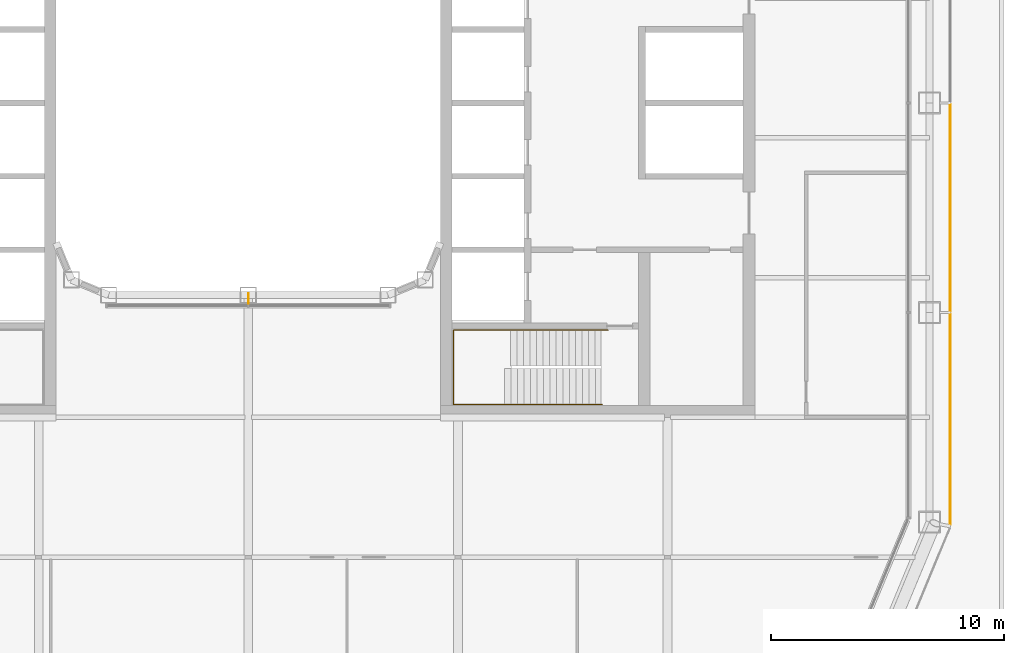
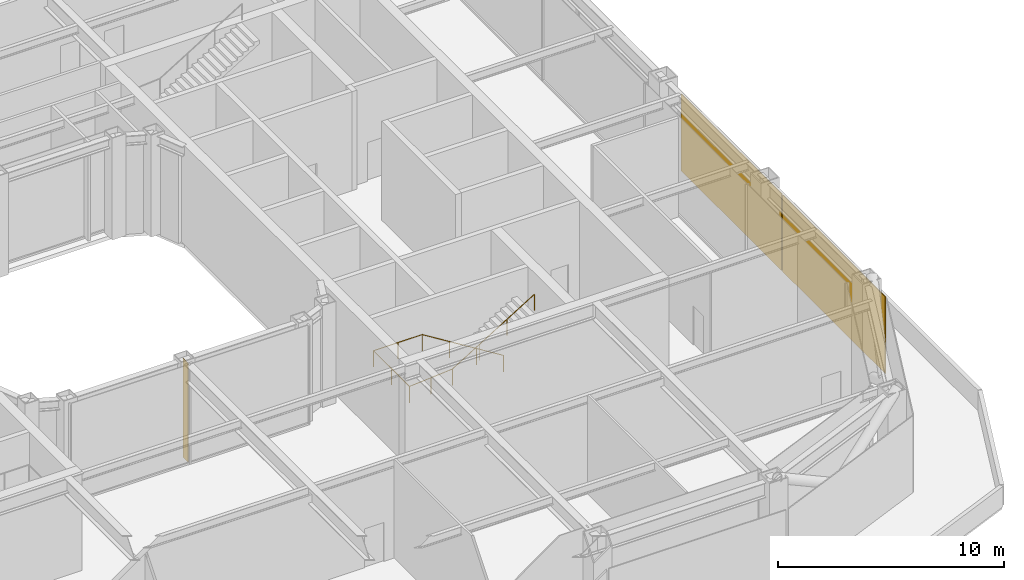
# One storey, part 18 of 21: 2 coverings, 1 railing, 1 shading device.
"""IFC4 building model written with IfcOpenShell, lengths in metres."""

from ifc_helpers import new_model, si_unit, direction, frame, origin, origin_2d, place, context, subcontext, project, spatial, rectangle, circle, extrude, material, layer, layer_set, type_object, element, save


model = new_model("IFC4")

# Units and contexts
model_context = context("Model", 3, precision=1e-05, world=origin(), true_north=direction((0.0, 1.0)))
body_context = subcontext(model_context, "Body", "Model", "MODEL_VIEW")
ifc_project = project(units=[si_unit("LENGTHUNIT", "METRE"), si_unit("AREAUNIT", "SQUARE_METRE"), si_unit("VOLUMEUNIT", "CUBIC_METRE"), si_unit("PLANEANGLEUNIT", "RADIAN"), si_unit("MASSUNIT", "GRAM", prefix="KILO")], contexts=[model_context])

# Site, building, storey
site_placement = place(None, origin())
site = spatial("IfcSite", under=ifc_project, at=site_placement, CompositionType="ELEMENT")
building_placement = place(site_placement, origin())
building = spatial("IfcBuilding", under=site, at=building_placement, Name="Siwar Civic Tower", CompositionType="ELEMENT")
storey_placement = place(building_placement, frame((0.0, 0.0, 99.199951171875)))
storey = spatial("IfcBuildingStorey", under=building, at=storey_placement, Name="L21", CompositionType="ELEMENT", Elevation=99.199951171875)

# Railing
ifc_material_1 = material(Name="Stainless steel", Category="steel")
railing_type = type_object("IfcRailingType", Name="CORE-STAIR-HANDRAIL", PredefinedType="HANDRAIL", material=ifc_material_1)
railing_placement = place(storey_placement, frame((15.449951171875, -9.758056640625, 0.171875)))
element("IfcRailing", 1, at=railing_placement, inside=storey, type_object=railing_type, Name="Stair handrail ST4", PredefinedType="HANDRAIL", context=body_context, shape_type="SweptSolid", body=[
    extrude(circle(Radius=0.02001953125, at=origin_2d()), frame((0.0, 0.0, 0.8798828125), z_axis=(-0.849426996612, 0.0, 0.527706146854), x_axis=(0.0, -1.0, 0.0)), (0.0, 0.0, 1.0), 4.885498046875),
    extrude(circle(Radius=0.02001953125, at=origin_2d()), frame((-4.14990234375, 0.0, 3.4580078125), z_axis=(-1.0, 0.0, 0.0), x_axis=(0.0, -1.0, 0.0)), (0.0, 0.0, 1.0), 2.491943359375),
    extrude(circle(Radius=0.02001953125, at=origin_2d()), frame((-6.641845703125, 0.0, 3.4580078125), z_axis=(0.0, -1.0, 0.0), x_axis=(1.0, 0.0, 0.0)), (0.0, 0.0, 1.0), 3.183837890625),
    extrude(circle(Radius=0.02001953125, at=origin_2d()), frame((-6.641845703125, -3.183837890625, 3.4580078125), z_axis=(0.996939735461, 0.0, 0.078173933367), x_axis=(0.0, 1.0, 0.0)), (0.0, 0.0, 1.0), 2.19873046875),
    extrude(circle(Radius=0.02001953125, at=origin_2d()), frame((-4.449951171875, -3.183837890625, 3.6298828125), z_axis=(0.852242915053, 0.0, 0.523146264196), x_axis=(0.0, 1.0, 0.0)), (0.0, 0.0, 1.0), 4.92822265625),
    extrude(circle(Radius=0.02001953125, at=origin_2d()), origin(), (0.0, 0.0, 1.0), 0.85986328125),
    extrude(circle(Radius=0.02001953125, at=origin_2d()), frame((-1.38330078125, 0.0, 0.859375)), (0.0, 0.0, 1.0), 0.85986328125),
    extrude(circle(Radius=0.02001953125, at=origin_2d()), frame((-2.7666015625, 0.0, 1.71875)), (0.0, 0.0, 1.0), 0.85986328125),
    extrude(circle(Radius=0.02001953125, at=origin_2d()), frame((-4.14990234375, 0.0, 2.578125)), (0.0, 0.0, 1.0), 0.85986328125),
    extrude(circle(Radius=0.02001953125, at=origin_2d()), frame((-5.39599609375, 0.0, 2.578125)), (0.0, 0.0, 1.0), 0.85986328125),
    extrude(circle(Radius=0.02001953125, at=origin_2d()), frame((-6.641845703125, 0.0, 2.578125)), (0.0, 0.0, 1.0), 0.85986328125),
    extrude(circle(Radius=0.02001953125, at=origin_2d()), frame((-6.641845703125, -1.591796875, 2.578125)), (0.0, 0.0, 1.0), 0.85986328125),
    extrude(circle(Radius=0.02001953125, at=origin_2d()), frame((-6.641845703125, -3.183837890625, 2.578125)), (0.0, 0.0, 1.0), 0.85986328125),
    extrude(circle(Radius=0.02001953125, at=origin_2d()), frame((-5.5458984375, -3.183837890625, 2.6640625)), (0.0, 0.0, 1.0), 0.85986328125),
    extrude(circle(Radius=0.02001953125, at=origin_2d()), frame((-4.449951171875, -3.183837890625, 2.75)), (0.0, 0.0, 1.0), 0.85986328125),
    extrude(circle(Radius=0.02001953125, at=origin_2d()), frame((-3.050048828125, -3.183837890625, 3.609375)), (0.0, 0.0, 1.0), 0.85986328125),
    extrude(circle(Radius=0.02001953125, at=origin_2d()), frame((-1.64990234375, -3.183837890625, 4.46875)), (0.0, 0.0, 1.0), 0.85986328125),
    extrude(circle(Radius=0.02001953125, at=origin_2d()), frame((-0.25, -3.183837890625, 5.328125)), (0.0, 0.0, 1.0), 0.85986328125),
])

# Shading device
ifc_material_2 = material(Name="Aluminium 6063-T6", Category="aluminium")
ifc_layer_1 = layer(ifc_material_2, 0.02001953125)
ifc_layer_set_1 = layer_set([ifc_layer_1], Name="Aluminium 6063-T6")
shading_device_type = type_object("IfcShadingDeviceType", Name="ENV-FIN", PredefinedType="JALOUSIE", material=ifc_layer_set_1)
shading_device_placement = place(storey_placement, frame((0.0, -8.39501953125, 0.0), z_axis=(0.0, 0.0, 1.0), x_axis=(1.0, 0.0, 0.0)))
element("IfcShadingDevice", 2, at=shading_device_placement, inside=storey, type_object=shading_device_type, Name="SUNSHADE fin WS 1", PredefinedType="JALOUSIE", context=body_context, shape_type="SweptSolid", body=[
    extrude(rectangle(XDim=0.02001953125, YDim=0.449951171875, at=origin_2d()), origin(), (0.0, 0.0, 1.0), 5.35009765625),
])

# Coverings
ifc_material_3 = material(Name="Perforated aluminium cassette, pale metal", Category="aluminium")
ifc_layer_2 = layer(ifc_material_3, 0.0400390625)
ifc_layer_set_2 = layer_set([ifc_layer_2], Name="Perforated aluminium cassette, pale metal")
covering_type = type_object("IfcCoveringType", Name="ENV-OUTER SKIN OS-1", PredefinedType="CLADDING", material=ifc_layer_set_2)
covering_1_placement = place(storey_placement, frame((30.14990234375, -13.57958984375, 0.0), z_axis=(0.0, 0.0, 1.0), x_axis=(0.0, 1.0, 0.0)))
element("IfcCovering", 3, at=covering_1_placement, inside=storey, type_object=covering_type, Name="OUTER SKIN OS-1 E 1", PredefinedType="CLADDING", context=body_context, shape_type="SweptSolid", body=[
    extrude(rectangle(XDim=9.05908203125, YDim=0.0400390625, at=origin_2d()), origin(), (0.0, 0.0, 1.0), 4.14990234375),
])
covering_2_placement = place(storey_placement, frame((30.14990234375, -4.5, 0.0), z_axis=(0.0, 0.0, 1.0), x_axis=(0.0, 1.0, 0.0)))
element("IfcCovering", 4, at=covering_2_placement, inside=storey, type_object=covering_type, Name="OUTER SKIN OS-1 E 2", PredefinedType="CLADDING", context=body_context, shape_type="SweptSolid", body=[
    extrude(rectangle(XDim=8.89990234375, YDim=0.0400390625, at=origin_2d()), origin(), (0.0, 0.0, 1.0), 4.14990234375),
])

save(model, "model.ifc")
